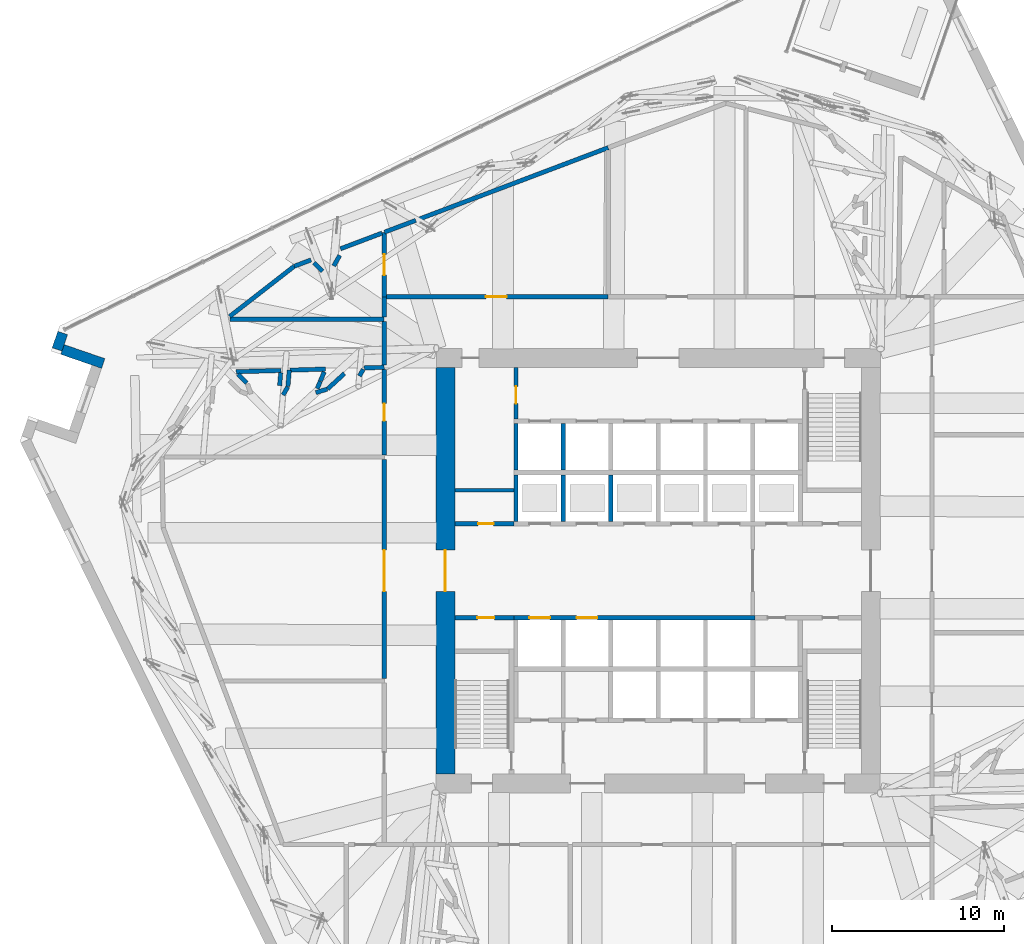
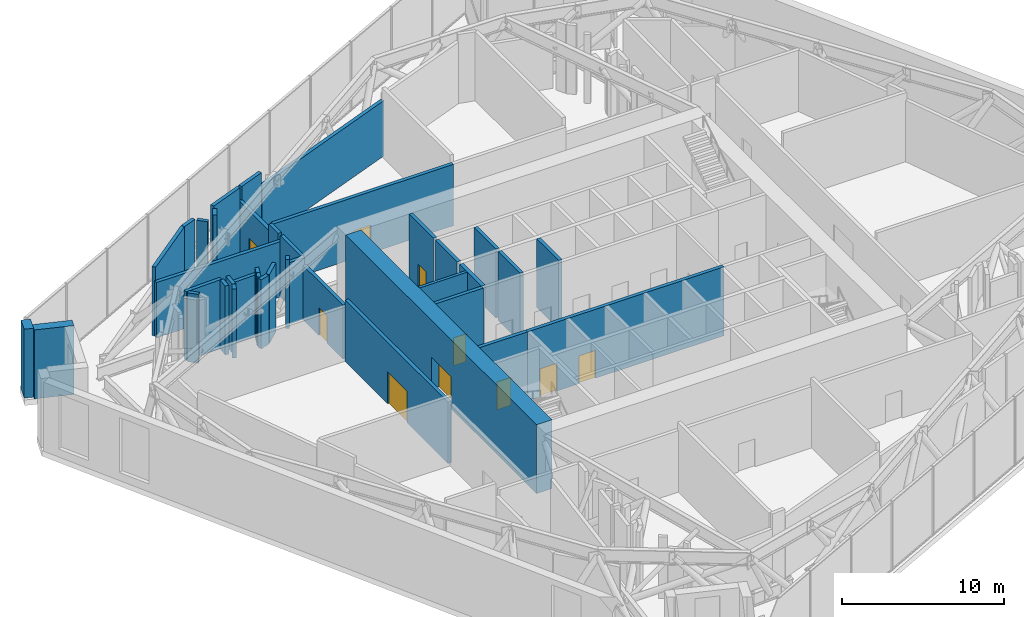
# One storey, part 12 of 21: 39 walls, 10 doors, 10 openings.
"""IFC4 building model written with IfcOpenShell, lengths in metres."""

from ifc_helpers import new_model, si_unit, direction, frame, frame_2d, origin, place, context, subcontext, project, spatial, rectangle, extrude, material, layer, layer_set, type_object, element, fill, save


model = new_model("IFC4")

# Units and contexts
model_context = context("Model", 3, precision=1e-05, world=origin(), true_north=direction((0.0, 1.0)))
body_context = subcontext(model_context, "Body", "Model", "MODEL_VIEW")
ifc_project = project(units=[si_unit("LENGTHUNIT", "METRE"), si_unit("AREAUNIT", "SQUARE_METRE"), si_unit("VOLUMEUNIT", "CUBIC_METRE"), si_unit("PLANEANGLEUNIT", "RADIAN"), si_unit("MASSUNIT", "GRAM", prefix="KILO")], contexts=[model_context])

# Site, building, storey
site_placement = place(None, origin())
site = spatial("IfcSite", under=ifc_project, at=site_placement, CompositionType="ELEMENT")
building_placement = place(site_placement, origin())
building = spatial("IfcBuilding", under=site, at=building_placement, Name="Dilmun Exchange Tower", CompositionType="ELEMENT")
storey_placement = place(building_placement, frame((0.0, 0.0, 130.10009765625)))
storey = spatial("IfcBuildingStorey", under=building, at=storey_placement, Name="L30", CompositionType="ELEMENT", Elevation=130.10009765625)

# Wall
ifc_material_1 = material(Name="Concrete C40/50", Category="concrete")
ifc_layer_1 = layer(ifc_material_1, 0.199951171875)
ifc_layer_set_1 = layer_set([ifc_layer_1], Name="Concrete C40/50")
wall_type_1 = type_object("IfcWallType", Name="Core partition wall 200", PredefinedType="PARTITIONING", material=ifc_layer_set_1)
wall_1_placement = place(storey_placement, frame((-11.794921875, 4.675048828125, 0.0), z_axis=(0.0, 0.0, 1.0), x_axis=(1.0, 0.0, 0.0)))
element("IfcWall", 1, at=wall_1_placement, inside=storey, type_object=wall_type_1, Name="L30 core partition wall 12", PredefinedType="PARTITIONING", context=body_context, shape_type="SweptSolid", body=[
    extrude(rectangle(XDim=3.4150390625, YDim=0.199951171875, at=frame_2d((1.70751953125, 0.0))), origin(), (0.0, 0.0, 1.0), 5.199951171875),
])

# Wall, opening, door
ifc_layer_2 = layer(ifc_material_1, 0.25)
ifc_layer_set_2 = layer_set([ifc_layer_2], Name="Concrete C40/50")
wall_type_2 = type_object("IfcWallType", Name="Core partition wall 250", PredefinedType="PARTITIONING", material=ifc_layer_set_2)
wall_2_placement = place(storey_placement, frame((-11.794921875, -2.72509765625, 0.0), z_axis=(0.0, 0.0, 1.0), x_axis=(1.0, 0.0, 0.0)))
wall_2 = element("IfcWall", 2, at=wall_2_placement, inside=storey, type_object=wall_type_2, Name="L30 core partition wall 07", PredefinedType="PARTITIONING", context=body_context, shape_type="SweptSolid", body=[
    extrude(rectangle(XDim=3.4150390625, YDim=0.25, at=frame_2d((1.70751953125, 0.0))), origin(), (0.0, 0.0, 1.0), 5.199951171875),
])
opening_1_placement = place(wall_2_placement, frame((1.294921875, 0.0, 0.0)))
opening_1 = element("IfcOpeningElement", 3, at=opening_1_placement, cuts=wall_2, Name="Opening CD4", PredefinedType="OPENING", context=body_context, shape_type="SweptSolid", body=[
    extrude(rectangle(XDim=1.0, YDim=2.10009765625, at=frame_2d((0.5, 1.050048828125))), frame((0.0, 0.135009765625, 0.0), z_axis=(0.0, -1.0, 0.0), x_axis=(1.0, 0.0, 0.0)), (0.0, 0.0, 1.0), 0.27001953125),
])
ifc_material_2 = material(Name="Fire-rated steel door set", Category="steel")
door_type_1 = type_object("IfcDoorType", Name="Core room door 1000x2100", OperationType="SINGLE_SWING_LEFT", PredefinedType="DOOR", material=ifc_material_2)
door_1_placement = place(opening_1_placement, origin())
door_1 = element("IfcDoor", 4, at=door_1_placement, inside=storey, type_object=door_type_1, Name="L30 door Accessible WC", OperationType="SINGLE_SWING_LEFT", OverallHeight=2.10009765625, OverallWidth=1.0, PredefinedType="DOOR", context=body_context, shape_type="SweptSolid", body=[
    extrude(rectangle(XDim=1.0, YDim=2.10009765625, at=frame_2d((0.5, 1.050048828125))), frame((0.0, 0.02490234375, 0.0), z_axis=(0.0, -1.0, 0.0), x_axis=(1.0, 0.0, 0.0)), (0.0, 0.0, 1.0), 0.050048828125),
])
fill(opening_1, door_1)

wall_3_placement = place(storey_placement, frame((-11.794921875, 2.72509765625, 0.0), z_axis=(0.0, 0.0, 1.0), x_axis=(1.0, 0.0, 0.0)))
wall_3 = element("IfcWall", 5, at=wall_3_placement, inside=storey, type_object=wall_type_2, Name="L30 core partition wall 10", PredefinedType="PARTITIONING", context=body_context, shape_type="SweptSolid", body=[
    extrude(rectangle(XDim=3.4150390625, YDim=0.25, at=frame_2d((1.70751953125, 0.0))), origin(), (0.0, 0.0, 1.0), 5.199951171875),
])
opening_2_placement = place(wall_3_placement, frame((1.344970703125, 0.0, 0.0)))
opening_2 = element("IfcOpeningElement", 6, at=opening_2_placement, cuts=wall_3, Name="Opening CD6", PredefinedType="OPENING", context=body_context, shape_type="SweptSolid", body=[
    extrude(rectangle(XDim=0.89990234375, YDim=2.10009765625, at=frame_2d((0.449951171875, 1.050048828125))), frame((0.0, 0.135009765625, 0.0), z_axis=(0.0, -1.0, 0.0), x_axis=(1.0, 0.0, 0.0)), (0.0, 0.0, 1.0), 0.27001953125),
])
door_type_2 = type_object("IfcDoorType", Name="Core room door 900x2100", OperationType="SINGLE_SWING_LEFT", PredefinedType="DOOR", material=ifc_material_2)
door_2_placement = place(opening_2_placement, origin())
door_2 = element("IfcDoor", 7, at=door_2_placement, inside=storey, type_object=door_type_2, Name="L30 door Plumbing riser", OperationType="SINGLE_SWING_LEFT", OverallHeight=2.10009765625, OverallWidth=0.89990234375, PredefinedType="DOOR", context=body_context, shape_type="SweptSolid", body=[
    extrude(rectangle(XDim=0.89990234375, YDim=2.10009765625, at=frame_2d((0.449951171875, 1.050048828125))), frame((0.0, 0.02490234375, 0.0), z_axis=(0.0, -1.0, 0.0), x_axis=(1.0, 0.0, 0.0)), (0.0, 0.0, 1.0), 0.050048828125),
])
fill(opening_2, door_2)

wall_4_placement = place(storey_placement, frame((-8.25, 8.804931640625, 0.0), z_axis=(0.0, 0.0, 1.0), x_axis=(0.0, 1.0, 0.0)))
wall_4 = element("IfcWall", 8, at=wall_4_placement, inside=storey, type_object=wall_type_2, Name="L30 core partition wall 13", PredefinedType="PARTITIONING", context=body_context, shape_type="SweptSolid", body=[
    extrude(rectangle(XDim=2.989990234375, YDim=0.25, at=frame_2d((1.4951171875, 0.0))), origin(), (0.0, 0.0, 1.0), 5.199951171875),
])
opening_3_placement = place(wall_4_placement, frame((0.89501953125, 0.0, 0.0)))
opening_3 = element("IfcOpeningElement", 9, at=opening_3_placement, cuts=wall_4, Name="Opening CD4", PredefinedType="OPENING", context=body_context, shape_type="SweptSolid", body=[
    extrude(rectangle(XDim=1.0, YDim=2.10009765625, at=frame_2d((0.5, 1.050048828125))), frame((0.0, 0.135009765625, 0.0), z_axis=(0.0, -1.0, 0.0), x_axis=(1.0, 0.0, 0.0)), (0.0, 0.0, 1.0), 0.27001953125),
])
door_3_placement = place(opening_3_placement, origin())
door_3 = element("IfcDoor", 10, at=door_3_placement, inside=storey, type_object=door_type_1, Name="L30 door Facilities office", OperationType="SINGLE_SWING_LEFT", OverallHeight=2.10009765625, OverallWidth=1.0, PredefinedType="DOOR", context=body_context, shape_type="SweptSolid", body=[
    extrude(rectangle(XDim=1.0, YDim=2.10009765625, at=frame_2d((0.5, 1.050048828125))), frame((0.0, 0.02490234375, 0.0), z_axis=(0.0, -1.0, 0.0), x_axis=(1.0, 0.0, 0.0)), (0.0, 0.0, 1.0), 0.050048828125),
])
fill(opening_3, door_3)

ifc_material_3 = material(Name="Concrete C80/95", Category="concrete")
ifc_layer_3 = layer(ifc_material_3, 1.10009765625)
ifc_layer_set_3 = layer_set([ifc_layer_3], Name="Concrete C80/95")
wall_type_3 = type_object("IfcWallType", Name="Core shear wall 1100 Concrete C80/95", PredefinedType="SHEAR", material=ifc_layer_set_3)
wall_5_placement = place(storey_placement, frame((-12.35009765625, -11.800048828125, 0.0), z_axis=(0.0, 0.0, 1.0), x_axis=(0.0, 1.0, 0.0)))
wall_5 = element("IfcWall", 11, at=wall_5_placement, inside=storey, type_object=wall_type_3, Name="L30 core shear wall W", PredefinedType="SHEAR", context=body_context, shape_type="SweptSolid", body=[
    extrude(rectangle(XDim=23.60009765625, YDim=1.10009765625, at=frame_2d((11.800048828125, 0.0))), origin(), (0.0, 0.0, 1.0), 5.199951171875),
])
opening_4_placement = place(wall_5_placement, frame((10.60009765625, 0.0, 0.0)))
opening_4 = element("IfcOpeningElement", 12, at=opening_4_placement, cuts=wall_5, Name="Opening CD1", PredefinedType="OPENING", context=body_context, shape_type="SweptSolid", body=[
    extrude(rectangle(XDim=2.39990234375, YDim=2.39990234375, at=frame_2d((1.199951171875, 1.199951171875))), frame((0.0, 0.56005859375, 0.0), z_axis=(0.0, -1.0, 0.0), x_axis=(1.0, 0.0, 0.0)), (0.0, 0.0, 1.0), 1.1201171875),
])
door_type_3 = type_object("IfcDoorType", Name="Core lobby door 2400x2400", OperationType="DOUBLE_DOOR_DOUBLE_SWING", PredefinedType="DOOR", material=ifc_material_2)
door_4_placement = place(opening_4_placement, origin())
door_4 = element("IfcDoor", 13, at=door_4_placement, inside=storey, type_object=door_type_3, Name="L30 door Central lift lobby", OperationType="SINGLE_SWING_LEFT", OverallHeight=2.39990234375, OverallWidth=2.39990234375, PredefinedType="DOOR", context=body_context, shape_type="SweptSolid", body=[
    extrude(rectangle(XDim=2.39990234375, YDim=2.39990234375, at=frame_2d((1.199951171875, 1.199951171875))), frame((0.0, 0.02490234375, 0.0), z_axis=(0.0, -1.0, 0.0), x_axis=(1.0, 0.0, 0.0)), (0.0, 0.0, 1.0), 0.050048828125),
])
fill(opening_4, door_4)

# Walls
ifc_layer_4 = layer(ifc_material_1, 0.25)
ifc_layer_set_4 = layer_set([ifc_layer_4], Name="Concrete C40/50")
wall_type_4 = type_object("IfcWallType", Name="Lift shaft wall 250", PredefinedType="SOLIDWALL", material=ifc_layer_set_4)
for number, where, z_axis, x_axis, name in (
    (14, (-8.25, 2.85009765625, 0.0), (0.0, 0.0, 1.0), (0.0, 1.0, 0.0), "L30 lift shaft divider N10"),
    (15, (-5.5, 2.85009765625, 0.0), (0.0, 0.0, 1.0), (0.0, 1.0, 0.0), "L30 lift shaft divider N11"),
    (16, (-2.75, 2.85009765625, 0.0), (0.0, 0.0, 1.0), (0.0, 1.0, 0.0), "L30 lift shaft divider N12"),
    (17, (-8.25, 5.85009765625, 0.0), (0.0, 0.0, 1.0), (0.0, 1.0, 0.0), "L30 lift shaft divider N20"),
    (18, (-5.5, 5.85009765625, 0.0), (0.0, 0.0, 1.0), (0.0, 1.0, 0.0), "L30 lift shaft divider N21"),
):
    element("IfcWall", number, at=place(storey_placement, frame(where, z_axis=z_axis, x_axis=x_axis)), inside=storey, type_object=wall_type_4, Name=name, PredefinedType="SOLIDWALL", context=body_context, shape_type="SweptSolid", body=[
        extrude(rectangle(XDim=2.699951171875, YDim=0.25, at=frame_2d((1.35009765625, 0.0))), origin(), (0.0, 0.0, 1.0), 5.199951171875),
    ])

# Wall, openings, doors
wall_6_placement = place(storey_placement, frame((-8.375, -2.72509765625, 0.0), z_axis=(0.0, 0.0, 1.0), x_axis=(1.0, 0.0, 0.0)))
wall_6 = element("IfcWall", 19, at=wall_6_placement, inside=storey, type_object=wall_type_4, Name="L30 lift shaft front wall S1", PredefinedType="SOLIDWALL", context=body_context, shape_type="SweptSolid", body=[
    extrude(rectangle(XDim=14.0, YDim=0.25, at=frame_2d((7.0, 0.0))), origin(), (0.0, 0.0, 1.0), 5.199951171875),
])
opening_5_placement = place(wall_6_placement, frame((0.89990234375, 0.0, 0.0)))
opening_5 = element("IfcOpeningElement", 20, at=opening_5_placement, cuts=wall_6, Name="Opening LD", PredefinedType="OPENING", context=body_context, shape_type="SweptSolid", body=[
    extrude(rectangle(XDim=1.199951171875, YDim=2.10009765625, at=frame_2d((0.60009765625, 1.050048828125))), frame((0.0, 0.135009765625, 0.0), z_axis=(0.0, -1.0, 0.0), x_axis=(1.0, 0.0, 0.0)), (0.0, 0.0, 1.0), 0.27001953125),
])
opening_6_placement = place(wall_6_placement, frame((3.64990234375, 0.0, 0.0)))
opening_6 = element("IfcOpeningElement", 21, at=opening_6_placement, cuts=wall_6, Name="Opening LD", PredefinedType="OPENING", context=body_context, shape_type="SweptSolid", body=[
    extrude(rectangle(XDim=1.199951171875, YDim=2.10009765625, at=frame_2d((0.60009765625, 1.050048828125))), frame((0.0, 0.135009765625, 0.0), z_axis=(0.0, -1.0, 0.0), x_axis=(1.0, 0.0, 0.0)), (0.0, 0.0, 1.0), 0.27001953125),
])
door_type_4 = type_object("IfcDoorType", Name="Lift landing door 1200x2100", OperationType="DOUBLE_DOOR_SLIDING", PredefinedType="DOOR", material=ifc_material_2)
door_5_placement = place(opening_5_placement, origin())
door_5 = element("IfcDoor", 22, at=door_5_placement, inside=storey, type_object=door_type_4, Name="L30 landing door SH30-1", OperationType="DOUBLE_DOOR_SLIDING", OverallHeight=2.10009765625, OverallWidth=1.199951171875, PredefinedType="DOOR", context=body_context, shape_type="SweptSolid", body=[
    extrude(rectangle(XDim=1.199951171875, YDim=2.10009765625, at=frame_2d((0.60009765625, 1.050048828125))), frame((0.0, 0.02490234375, 0.0), z_axis=(0.0, -1.0, 0.0), x_axis=(1.0, 0.0, 0.0)), (0.0, 0.0, 1.0), 0.050048828125),
])
fill(opening_5, door_5)
door_6_placement = place(opening_6_placement, origin())
door_6 = element("IfcDoor", 23, at=door_6_placement, inside=storey, type_object=door_type_4, Name="L30 landing door SH30-2", OperationType="DOUBLE_DOOR_SLIDING", OverallHeight=2.10009765625, OverallWidth=1.199951171875, PredefinedType="DOOR", context=body_context, shape_type="SweptSolid", body=[
    extrude(rectangle(XDim=1.199951171875, YDim=2.10009765625, at=frame_2d((0.60009765625, 1.050048828125))), frame((0.0, 0.02490234375, 0.0), z_axis=(0.0, -1.0, 0.0), x_axis=(1.0, 0.0, 0.0)), (0.0, 0.0, 1.0), 0.050048828125),
])
fill(opening_6, door_6)

# Wall, opening, door
ifc_material_4 = material(Name="Concrete C32/40", Category="concrete")
ifc_layer_5 = layer(ifc_material_4, 0.25)
ifc_layer_set_5 = layer_set([ifc_layer_5], Name="Concrete C32/40")
wall_type_5 = type_object("IfcWallType", Name="Plant room wall 250", PredefinedType="PARTITIONING", material=ifc_layer_set_5)
wall_7_placement = place(storey_placement, frame((-15.89990234375, -6.27001953125, 0.0), z_axis=(0.0, 0.0, 1.0), x_axis=(0.0, 1.0, 0.0)))
wall_7 = element("IfcWall", 24, at=wall_7_placement, inside=storey, type_object=wall_type_5, Name="L30 plant room wall 68", PredefinedType="PARTITIONING", context=body_context, shape_type="SweptSolid", body=[
    extrude(rectangle(XDim=12.739990234375, YDim=0.25, at=frame_2d((6.3701171875, 0.0))), origin(), (0.0, 0.0, 1.0), 4.6298828125),
])
opening_7_placement = place(wall_7_placement, frame((5.070068359375, 0.0, 0.0)))
opening_7 = element("IfcOpeningElement", 25, at=opening_7_placement, cuts=wall_7, Name="Opening PD4", PredefinedType="OPENING", context=body_context, shape_type="SweptSolid", body=[
    extrude(rectangle(XDim=2.39990234375, YDim=2.39990234375, at=frame_2d((1.199951171875, 1.199951171875))), frame((0.0, 0.135009765625, 0.0), z_axis=(0.0, -1.0, 0.0), x_axis=(1.0, 0.0, 0.0)), (0.0, 0.0, 1.0), 0.27001953125),
])
door_type_5 = type_object("IfcDoorType", Name="Sky lobby door 2400x2400", OperationType="DOUBLE_DOOR_DOUBLE_SWING", PredefinedType="DOOR", material=ifc_material_2)
door_7_placement = place(opening_7_placement, origin())
door_7 = element("IfcDoor", 26, at=door_7_placement, inside=storey, type_object=door_type_5, Name="L30 door Sky lobby", OperationType="SINGLE_SWING_LEFT", OverallHeight=2.39990234375, OverallWidth=2.39990234375, PredefinedType="DOOR", context=body_context, shape_type="SweptSolid", body=[
    extrude(rectangle(XDim=2.39990234375, YDim=2.39990234375, at=frame_2d((1.199951171875, 1.199951171875))), frame((0.0, 0.02490234375, 0.0), z_axis=(0.0, -1.0, 0.0), x_axis=(1.0, 0.0, 0.0)), (0.0, 0.0, 1.0), 0.050048828125),
])
fill(opening_7, door_7)

# Walls
wall_8_placement = place(storey_placement, frame((-21.770751953125, 10.203125, 0.0), z_axis=(0.0, 0.0, 1.0), x_axis=(0.496960595176, 0.867773107927, 0.0)))
element("IfcWall", 27, at=wall_8_placement, inside=storey, type_object=wall_type_5, Name="L30 plant room wall 76", PredefinedType="PARTITIONING", context=body_context, shape_type="SweptSolid", body=[
    extrude(rectangle(XDim=0.5439453125, YDim=0.25, at=frame_2d((0.27197265625, 0.0))), origin(), (0.0, 0.0, 1.0), 5.199951171875),
])
wall_9_placement = place(storey_placement, frame((-19.87548828125, 10.336669921875, 0.0), z_axis=(0.0, 0.0, 1.0), x_axis=(0.954138689462, 0.29936492993, 0.0)))
element("IfcWall", 28, at=wall_9_placement, inside=storey, type_object=wall_type_5, Name="L30 plant room wall 78", PredefinedType="PARTITIONING", context=body_context, shape_type="SweptSolid", body=[
    extrude(rectangle(XDim=0.701416015625, YDim=0.25, at=frame_2d((0.3505859375, 0.0))), origin(), (0.0, 0.0, 1.0), 5.199951171875),
])
wall_10_placement = place(storey_placement, frame((-19.180908203125, 10.561279296875, 0.0), z_axis=(0.0, 0.0, 1.0), x_axis=(0.738131795396, 0.674656544195, 0.0)))
element("IfcWall", 29, at=wall_10_placement, inside=storey, type_object=wall_type_5, Name="L30 plant room wall 80", PredefinedType="PARTITIONING", context=body_context, shape_type="SweptSolid", body=[
    extrude(rectangle(XDim=1.3154296875, YDim=0.25, at=frame_2d((0.65771484375, 0.0))), origin(), (0.0, 0.0, 1.0), 5.199951171875),
])
wall_11_placement = place(storey_placement, frame((-21.49169921875, 10.703125, 0.0), z_axis=(0.0, 0.0, 1.0), x_axis=(0.083688741014, 0.996491944086, 0.0)))
element("IfcWall", 30, at=wall_11_placement, inside=storey, type_object=wall_type_5, Name="L30 plant room wall 81", PredefinedType="PARTITIONING", context=body_context, shape_type="SweptSolid", body=[
    extrude(rectangle(XDim=0.9423828125, YDim=0.25, at=frame_2d((0.47119140625, 0.0))), origin(), (0.0, 0.0, 1.0), 5.199951171875),
])
wall_12_placement = place(storey_placement, frame((-24.38623046875, 11.396728515625, 0.0), z_axis=(0.0, 0.0, 1.0), x_axis=(0.704168103738, -0.710033296175, 0.0)))
element("IfcWall", 31, at=wall_12_placement, inside=storey, type_object=wall_type_5, Name="L30 plant room wall 82", PredefinedType="PARTITIONING", context=body_context, shape_type="SweptSolid", body=[
    extrude(rectangle(XDim=0.70751953125, YDim=0.25, at=frame_2d((0.353759765625, 0.0))), origin(), (0.0, 0.0, 1.0), 5.199951171875),
])
wall_13_placement = place(storey_placement, frame((-19.788818359375, 10.572509765625, 0.0), z_axis=(0.0, 0.0, 1.0), x_axis=(0.383929938729, 0.923362226944, 0.0)))
element("IfcWall", 32, at=wall_13_placement, inside=storey, type_object=wall_type_5, Name="L30 plant room wall 83", PredefinedType="PARTITIONING", context=body_context, shape_type="SweptSolid", body=[
    extrude(rectangle(XDim=0.455322265625, YDim=0.25, at=frame_2d((0.2275390625, 0.0))), origin(), (0.0, 0.0, 1.0), 5.199951171875),
])
wall_14_placement = place(storey_placement, frame((-17.34130859375, 11.302001953125, 0.0), z_axis=(0.0, 0.0, 1.0), x_axis=(0.497560842554, 0.867429079497, 0.0)))
element("IfcWall", 33, at=wall_14_placement, inside=storey, type_object=wall_type_5, Name="L30 plant room wall 85", PredefinedType="PARTITIONING", context=body_context, shape_type="SweptSolid", body=[
    extrude(rectangle(XDim=0.443603515625, YDim=0.25, at=frame_2d((0.2216796875, 0.0))), origin(), (0.0, 0.0, 1.0), 5.199951171875),
])
wall_15_placement = place(storey_placement, frame((-24.492431640625, 11.549072265625, 0.0), z_axis=(0.0, 0.0, 1.0), x_axis=(0.999543507572, 0.030212190766, 0.0)))
element("IfcWall", 34, at=wall_15_placement, inside=storey, type_object=wall_type_5, Name="L30 plant room wall 86", PredefinedType="PARTITIONING", context=body_context, shape_type="SweptSolid", body=[
    extrude(rectangle(XDim=2.593994140625, YDim=0.25, at=frame_2d((1.296875, 0.0))), origin(), (0.0, 0.0, 1.0), 5.199951171875),
])
wall_16_placement = place(storey_placement, frame((-21.973876953125, 10.74365234375, 0.0), z_axis=(0.0, 0.0, 1.0), x_axis=(0.083633382134, 0.996496591762, 0.0)))
element("IfcWall", 35, at=wall_16_placement, inside=storey, type_object=wall_type_5, Name="L30 plant room wall 87", PredefinedType="PARTITIONING", context=body_context, shape_type="SweptSolid", body=[
    extrude(rectangle(XDim=0.756103515625, YDim=0.25, at=frame_2d((0.3779296875, 0.0))), origin(), (0.0, 0.0, 1.0), 5.199951171875),
])
wall_17_placement = place(storey_placement, frame((-21.368896484375, 11.6435546875, 0.0), z_axis=(0.0, 0.0, 1.0), x_axis=(0.99954325075, 0.03022068631, 0.0)))
element("IfcWall", 36, at=wall_17_placement, inside=storey, type_object=wall_type_5, Name="L30 plant room wall 88", PredefinedType="PARTITIONING", context=body_context, shape_type="SweptSolid", body=[
    extrude(rectangle(XDim=2.052001953125, YDim=0.25, at=frame_2d((1.02587890625, 0.0))), origin(), (0.0, 0.0, 1.0), 4.6298828125),
])
wall_18_placement = place(storey_placement, frame((-19.6083984375, 11.006591796875, 0.0), z_axis=(0.0, 0.0, 1.0), x_axis=(0.383890787286, 0.923378504968, 0.0)))
element("IfcWall", 37, at=wall_18_placement, inside=storey, type_object=wall_type_5, Name="L30 plant room wall 89", PredefinedType="PARTITIONING", context=body_context, shape_type="SweptSolid", body=[
    extrude(rectangle(XDim=0.57421875, YDim=0.25, at=frame_2d((0.287109375, 0.0))), origin(), (0.0, 0.0, 1.0), 5.199951171875),
])
wall_19_placement = place(storey_placement, frame((-17.06103515625, 11.773681640625, 0.0), z_axis=(0.0, 0.0, 1.0), x_axis=(0.999541950067, 0.030263675528, 0.0)))
element("IfcWall", 38, at=wall_19_placement, inside=storey, type_object=wall_type_5, Name="L30 plant room wall 90", PredefinedType="PARTITIONING", context=body_context, shape_type="SweptSolid", body=[
    extrude(rectangle(XDim=1.16162109375, YDim=0.25, at=frame_2d((0.580810546875, 0.0))), origin(), (0.0, 0.0, 1.0), 4.6298828125),
])

# Wall, opening, door
wall_20_placement = place(storey_placement, frame((-15.89990234375, 6.72998046875, 0.0), z_axis=(0.0, 0.0, 1.0), x_axis=(0.0, 1.0, 0.0)))
wall_20 = element("IfcWall", 39, at=wall_20_placement, inside=storey, type_object=wall_type_5, Name="L30 plant room wall 91", PredefinedType="PARTITIONING", context=body_context, shape_type="SweptSolid", body=[
    extrude(rectangle(XDim=4.94873046875, YDim=0.25, at=frame_2d((2.474365234375, 0.0))), origin(), (0.0, 0.0, 1.0), 4.079833984375),
])
opening_8_placement = place(wall_20_placement, frame((1.974365234375, 0.0, 0.0)))
opening_8 = element("IfcOpeningElement", 40, at=opening_8_placement, cuts=wall_20, Name="Opening PD1", PredefinedType="OPENING", context=body_context, shape_type="SweptSolid", body=[
    extrude(rectangle(XDim=1.0, YDim=2.10009765625, at=frame_2d((0.5, 1.050048828125))), frame((0.0, 0.135009765625, 0.0), z_axis=(0.0, -1.0, 0.0), x_axis=(1.0, 0.0, 0.0)), (0.0, 0.0, 1.0), 0.27001953125),
])
door_type_6 = type_object("IfcDoorType", Name="Plant room door 1000x2100", OperationType="SINGLE_SWING_LEFT", PredefinedType="DOOR", material=ifc_material_2)
door_8_placement = place(opening_8_placement, origin())
door_8 = element("IfcDoor", 41, at=door_8_placement, inside=storey, type_object=door_type_6, Name="L30 door Battery plant room", OperationType="SINGLE_SWING_RIGHT", OverallHeight=2.10009765625, OverallWidth=1.0, PredefinedType="DOOR", context=body_context, shape_type="SweptSolid", body=[
    extrude(rectangle(XDim=1.0, YDim=2.10009765625, at=frame_2d((0.5, 1.050048828125))), frame((0.0, 0.02490234375, 0.0), z_axis=(0.0, -1.0, 0.0), x_axis=(1.0, 0.0, 0.0)), (0.0, 0.0, 1.0), 0.050048828125),
])
fill(opening_8, door_8)

# Walls
wall_21_placement = place(storey_placement, frame((-24.848388671875, 14.60009765625, 0.0), z_axis=(0.0, 0.0, 1.0), x_axis=(1.0, 0.0, 0.0)))
element("IfcWall", 42, at=wall_21_placement, inside=storey, type_object=wall_type_5, Name="L30 plant room wall 92", PredefinedType="PARTITIONING", context=body_context, shape_type="SweptSolid", body=[
    extrude(rectangle(XDim=8.948486328125, YDim=0.25, at=frame_2d((4.47412109375, 0.0))), origin(), (0.0, 0.0, 1.0), 4.171875),
])
wall_22_placement = place(storey_placement, frame((-24.879638671875, 14.75830078125, 0.0), z_axis=(0.0, 0.0, 1.0), x_axis=(0.789451876253, 0.61381245921, 0.0)))
element("IfcWall", 43, at=wall_22_placement, inside=storey, type_object=wall_type_5, Name="L30 plant room wall 93", PredefinedType="PARTITIONING", context=body_context, shape_type="SweptSolid", body=[
    extrude(rectangle(XDim=4.748291015625, YDim=0.25, at=frame_2d((2.3740234375, 0.0))), origin(), (0.0, 0.0, 1.0), 5.199951171875),
])
wall_23_placement = place(storey_placement, frame((-15.89990234375, 14.72998046875, 0.0), z_axis=(0.0, 0.0, 1.0), x_axis=(0.0, 1.0, 0.0)))
element("IfcWall", 44, at=wall_23_placement, inside=storey, type_object=wall_type_5, Name="L30 plant room wall 94", PredefinedType="PARTITIONING", context=body_context, shape_type="SweptSolid", body=[
    extrude(rectangle(XDim=1.169921875, YDim=0.25, at=frame_2d((0.5849609375, 0.0))), origin(), (0.0, 0.0, 1.0), 4.6298828125),
])
wall_24_placement = place(storey_placement, frame((-15.89990234375, 11.93701171875, 0.0), z_axis=(0.0, 0.0, 1.0), x_axis=(0.0, 1.0, 0.0)))
element("IfcWall", 45, at=wall_24_placement, inside=storey, type_object=wall_type_5, Name="L30 plant room wall 95", PredefinedType="PARTITIONING", context=body_context, shape_type="SweptSolid", body=[
    extrude(rectangle(XDim=2.532958984375, YDim=0.25, at=frame_2d((1.2666015625, 0.0))), origin(), (0.0, 0.0, 1.0), 4.6298828125),
])

# Wall, opening, door
wall_25_placement = place(storey_placement, frame((-15.89990234375, 15.905029296875, 0.0), z_axis=(0.0, 0.0, 1.0), x_axis=(0.0, 1.0, 0.0)))
wall_25 = element("IfcWall", 46, at=wall_25_placement, inside=storey, type_object=wall_type_5, Name="L30 plant room wall 96", PredefinedType="PARTITIONING", context=body_context, shape_type="SweptSolid", body=[
    extrude(rectangle(XDim=3.74365234375, YDim=0.25, at=frame_2d((1.871826171875, 0.0))), origin(), (0.0, 0.0, 1.0), 4.171875),
])
opening_9_placement = place(wall_25_placement, frame((1.255859375, 0.0, 0.0)))
opening_9 = element("IfcOpeningElement", 47, at=opening_9_placement, cuts=wall_25, Name="Opening PD2", PredefinedType="OPENING", context=body_context, shape_type="SweptSolid", body=[
    extrude(rectangle(XDim=1.199951171875, YDim=2.10009765625, at=frame_2d((0.60009765625, 1.050048828125))), frame((0.0, 0.135009765625, 0.0), z_axis=(0.0, -1.0, 0.0), x_axis=(1.0, 0.0, 0.0)), (0.0, 0.0, 1.0), 0.27001953125),
])
door_type_7 = type_object("IfcDoorType", Name="Plant room door 1200x2100", OperationType="SINGLE_SWING_LEFT", PredefinedType="DOOR", material=ifc_material_2)
door_9_placement = place(opening_9_placement, origin())
door_9 = element("IfcDoor", 48, at=door_9_placement, inside=storey, type_object=door_type_7, Name="L30 door Electrical plant room", OperationType="SINGLE_SWING_RIGHT", OverallHeight=2.10009765625, OverallWidth=1.199951171875, PredefinedType="DOOR", context=body_context, shape_type="SweptSolid", body=[
    extrude(rectangle(XDim=1.199951171875, YDim=2.10009765625, at=frame_2d((0.60009765625, 1.050048828125))), frame((0.0, 0.02490234375, 0.0), z_axis=(0.0, -1.0, 0.0), x_axis=(1.0, 0.0, 0.0)), (0.0, 0.0, 1.0), 0.050048828125),
])
fill(opening_9, door_9)

wall_26_placement = place(storey_placement, frame((-15.77001953125, 15.89990234375, 0.0), z_axis=(0.0, 0.0, 1.0), x_axis=(1.0, 0.0, 0.0)))
wall_26 = element("IfcWall", 49, at=wall_26_placement, inside=storey, type_object=wall_type_5, Name="L30 plant room wall 97", PredefinedType="PARTITIONING", context=body_context, shape_type="SweptSolid", body=[
    extrude(rectangle(XDim=12.8701171875, YDim=0.25, at=frame_2d((6.43505859375, 0.0))), origin(), (0.0, 0.0, 1.0), 4.6298828125),
])
opening_10_placement = place(wall_26_placement, frame((5.77001953125, 0.0, 0.0)))
opening_10 = element("IfcOpeningElement", 50, at=opening_10_placement, cuts=wall_26, Name="Opening PD2", PredefinedType="OPENING", context=body_context, shape_type="SweptSolid", body=[
    extrude(rectangle(XDim=1.199951171875, YDim=2.10009765625, at=frame_2d((0.60009765625, 1.050048828125))), frame((0.0, 0.135009765625, 0.0), z_axis=(0.0, -1.0, 0.0), x_axis=(1.0, 0.0, 0.0)), (0.0, 0.0, 1.0), 0.27001953125),
])
door_10_placement = place(opening_10_placement, origin())
door_10 = element("IfcDoor", 51, at=door_10_placement, inside=storey, type_object=door_type_7, Name="L30 door Mechanical pump room", OperationType="SINGLE_SWING_RIGHT", OverallHeight=2.10009765625, OverallWidth=1.199951171875, PredefinedType="DOOR", context=body_context, shape_type="SweptSolid", body=[
    extrude(rectangle(XDim=1.199951171875, YDim=2.10009765625, at=frame_2d((0.60009765625, 1.050048828125))), frame((0.0, 0.02490234375, 0.0), z_axis=(0.0, -1.0, 0.0), x_axis=(1.0, 0.0, 0.0)), (0.0, 0.0, 1.0), 0.050048828125),
])
fill(opening_10, door_10)

# Walls
wall_27_placement = place(storey_placement, frame((-21.126220703125, 17.6748046875, 0.0), z_axis=(0.0, 0.0, 1.0), x_axis=(0.935506582458, 0.35330926138, 0.0)))
element("IfcWall", 52, at=wall_27_placement, inside=storey, type_object=wall_type_5, Name="L30 plant room wall 105", PredefinedType="PARTITIONING", context=body_context, shape_type="SweptSolid", body=[
    extrude(rectangle(XDim=1.0400390625, YDim=0.25, at=frame_2d((0.52001953125, 0.0))), origin(), (0.0, 0.0, 1.0), 5.199951171875),
])
for number, where, z_axis, x_axis, name in (
    (53, (-18.83349609375, 17.696044921875, 0.0), (0.0, 0.0, 1.0), (0.498386115662, 0.866955177454, 0.0), "L30 plant room wall 106"),
    (54, (-19.983154296875, 17.8759765625, 0.0), (0.0, 0.0, 1.0), (0.715582490234, -0.698528238278, 0.0), "L30 plant room wall 108"),
):
    element("IfcWall", number, at=place(storey_placement, frame(where, z_axis=z_axis, x_axis=x_axis)), inside=storey, type_object=wall_type_5, Name=name, PredefinedType="PARTITIONING", context=body_context, shape_type="SweptSolid", body=[
        extrude(rectangle(XDim=0.701416015625, YDim=0.25, at=frame_2d((0.3505859375, 0.0))), origin(), (0.0, 0.0, 1.0), 5.199951171875),
    ])
wall_28_placement = place(storey_placement, frame((-18.44482421875, 18.6875, 0.0), z_axis=(0.0, 0.0, 1.0), x_axis=(0.935490853033, 0.353350907586, 0.0)))
element("IfcWall", 55, at=wall_28_placement, inside=storey, type_object=wall_type_5, Name="L30 plant room wall 111", PredefinedType="PARTITIONING", context=body_context, shape_type="SweptSolid", body=[
    extrude(rectangle(XDim=2.581298828125, YDim=0.25, at=frame_2d((1.29052734375, 0.0))), origin(), (0.0, 0.0, 1.0), 5.199951171875),
])
wall_29_placement = place(storey_placement, frame((-15.88671875, 19.65380859375, 0.0), z_axis=(0.0, 0.0, 1.0), x_axis=(0.935489638932, 0.353354121881, 0.0)))
element("IfcWall", 56, at=wall_29_placement, inside=storey, type_object=wall_type_5, Name="L30 plant room wall 113", PredefinedType="PARTITIONING", context=body_context, shape_type="SweptSolid", body=[
    extrude(rectangle(XDim=1.942138671875, YDim=0.25, at=frame_2d((0.97119140625, 0.0))), origin(), (0.0, 0.0, 1.0), 5.199951171875),
])
wall_30_placement = place(storey_placement, frame((-14.043212890625, 20.34814453125, 0.0), z_axis=(0.0, 0.0, 1.0), x_axis=(0.935424055247, 0.353527703109, 0.0)))
element("IfcWall", 57, at=wall_30_placement, inside=storey, type_object=wall_type_5, Name="L30 plant room wall 115", PredefinedType="PARTITIONING", context=body_context, shape_type="SweptSolid", body=[
    extrude(rectangle(XDim=11.91259765625, YDim=0.25, at=frame_2d((5.956298828125, 0.0))), origin(), (0.0, 0.0, 1.0), 4.171875),
])
ifc_material_5 = material(Name="Precast concrete C50/60", Category="concrete")
ifc_layer_6 = layer(ifc_material_5, 0.60009765625)
ifc_layer_set_6 = layer_set([ifc_layer_6], Name="Precast concrete C50/60")
wall_type_6 = type_object("IfcWallType", Name="Precast stone-clad wall 600", PredefinedType="STANDARD", material=ifc_layer_set_6)
wall_31_placement = place(storey_placement, frame((-34.566162109375, 13.802734375, 0.0), z_axis=(0.0, 0.0, 1.0), x_axis=(-0.325626147133, -0.94549860513, 0.0)))
element("IfcWall", 58, at=wall_31_placement, inside=storey, type_object=wall_type_6, Name="Facade wall L30-04", PredefinedType="STANDARD", context=body_context, shape_type="SweptSolid", body=[
    extrude(rectangle(XDim=1.011474609375, YDim=0.60009765625, at=frame_2d((0.505859375, 0.0))), origin(), (0.0, 0.0, 1.0), 5.199951171875),
])
wall_32_placement = place(storey_placement, frame((-34.5791015625, 12.843505859375, 0.0), z_axis=(0.0, 0.0, 1.0), x_axis=(0.945511960377, -0.325587365823, 0.0)))
element("IfcWall", 59, at=wall_32_placement, inside=storey, type_object=wall_type_6, Name="Facade wall L30-05", PredefinedType="STANDARD", context=body_context, shape_type="SweptSolid", body=[
    extrude(rectangle(XDim=2.5, YDim=0.60009765625, at=frame_2d((1.25, 0.0))), origin(), (0.0, 0.0, 1.0), 5.199951171875),
])

save(model, "model.ifc")
